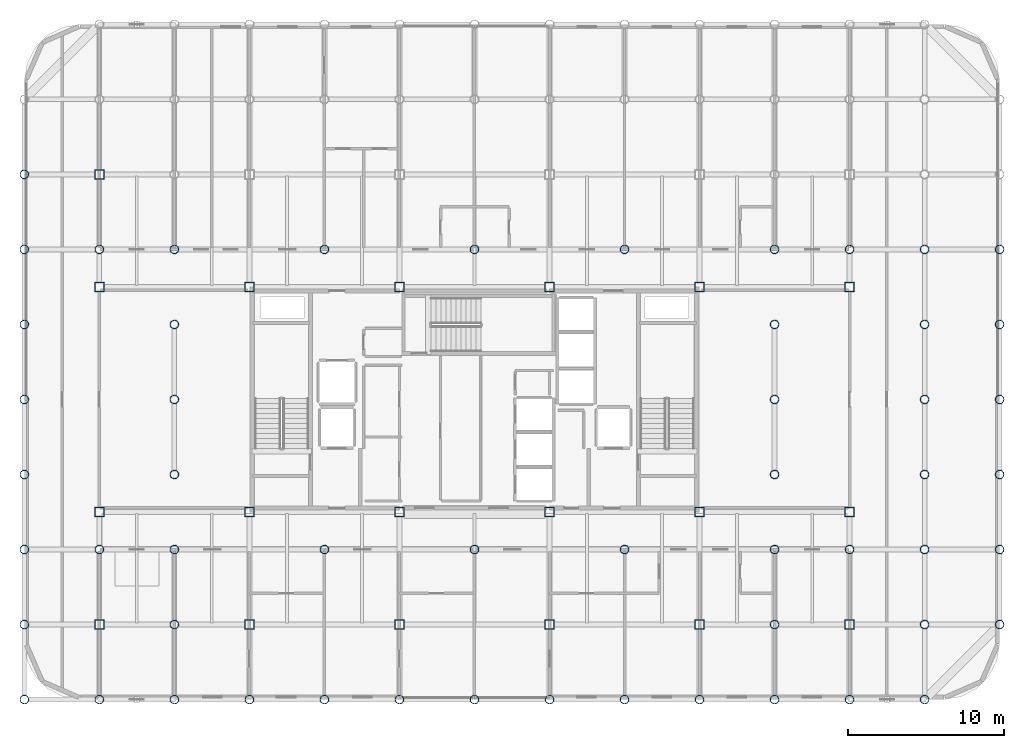
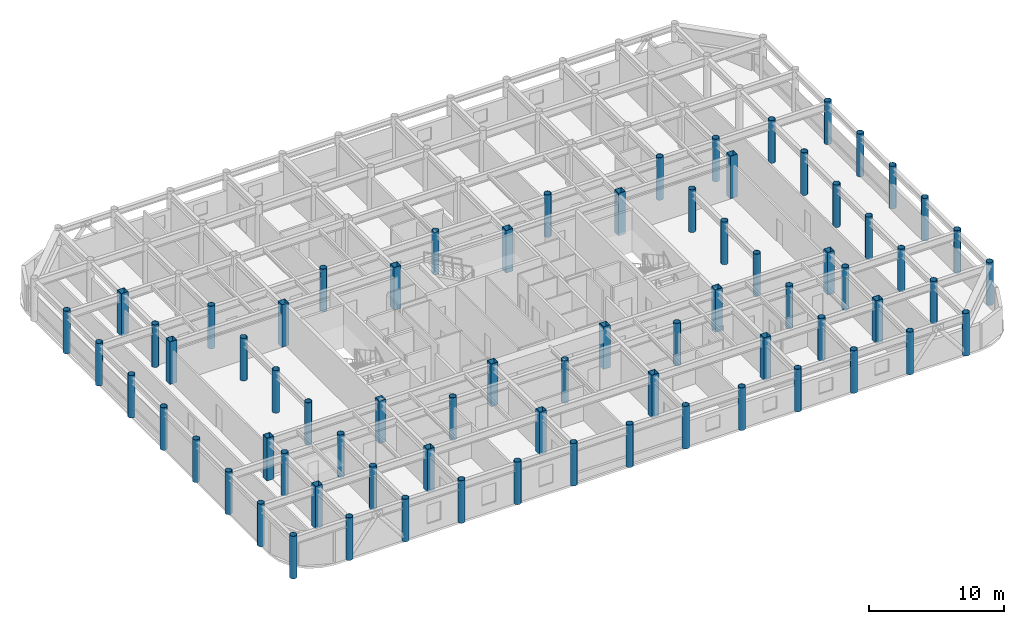
# One storey, part 1 of 24: 73 columns.
"""IFC4 building model written with IfcOpenShell, lengths in metres."""

from ifc_helpers import new_model, si_unit, direction, frame, origin, origin_2d, place, context, subcontext, project, spatial, hollow_rectangle, hollow_circle, extrude, material, material_profile, profile_set, type_object, element, save


model = new_model("IFC4")

# Units and contexts
model_context = context("Model", 3, precision=1e-05, world=origin(), true_north=direction((0.0, 1.0)))
body_context = subcontext(model_context, "Body", "Model", "MODEL_VIEW")
ifc_project = project(units=[si_unit("LENGTHUNIT", "METRE"), si_unit("AREAUNIT", "SQUARE_METRE"), si_unit("VOLUMEUNIT", "CUBIC_METRE"), si_unit("PLANEANGLEUNIT", "RADIAN"), si_unit("MASSUNIT", "GRAM", prefix="KILO")], contexts=[model_context])

# Site, building, storey
site_placement = place(None, origin())
site = spatial("IfcSite", under=ifc_project, at=site_placement, CompositionType="ELEMENT")
building_placement = place(site_placement, origin())
building = spatial("IfcBuilding", under=site, at=building_placement, Name="Kallvorn Hotel Tower", CompositionType="ELEMENT")
storey_placement = place(building_placement, frame((0.0, 0.0, 233.85009765625)))
storey = spatial("IfcBuildingStorey", under=building, at=storey_placement, Name="L58", CompositionType="ELEMENT", Elevation=233.85009765625)

# Columns
ifc_material_1 = material(Name="Structural steel S355J2H", Category="steel")
ifc_material_profile_1 = material_profile(ifc_material_1, hollow_circle(Radius=0.279541015625, WallThickness=0.02490234375, at=origin_2d()), Name="CHS 559x25")
ifc_profile_set_1 = profile_set([ifc_material_profile_1], Name="Structural steel S355J2H")
column_type_1 = type_object("IfcColumnType", Name="COL_CHS_559", PredefinedType="COLUMN", material=ifc_profile_set_1)
for number, where, z_axis, x_axis, name in (
    (1, (-28.800048828125, -19.199951171875, 0.0), (0.0, 0.0, 1.0), (1.0, 0.0, 0.0), "L58 Exoskeleton Column EC01"),
    (2, (-28.800048828125, -14.39990234375, 0.0), (0.0, 0.0, 1.0), (1.0, 0.0, 0.0), "L58 Exoskeleton Column EC02"),
    (3, (-28.800048828125, -9.60009765625, 0.0), (0.0, 0.0, 1.0), (1.0, 0.0, 0.0), "L58 Exoskeleton Column EC03"),
    (4, (-28.800048828125, -4.800048828125, 0.0), (0.0, 0.0, 1.0), (1.0, 0.0, 0.0), "L58 Exoskeleton Column EC04"),
    (5, (-28.800048828125, 0.0, 0.0), (0.0, 0.0, 1.0), (1.0, 0.0, 0.0), "L58 Exoskeleton Column EC05"),
    (6, (-28.800048828125, 4.800048828125, 0.0), (0.0, 0.0, 1.0), (1.0, 0.0, 0.0), "L58 Exoskeleton Column EC06"),
    (7, (-28.800048828125, 9.60009765625, 0.0), (0.0, 0.0, 1.0), (1.0, 0.0, 0.0), "L58 Exoskeleton Column EC07"),
    (8, (-28.800048828125, 14.39990234375, 0.0), (0.0, 0.0, 1.0), (1.0, 0.0, 0.0), "L58 Exoskeleton Column EC08"),
    (9, (-24.0, -19.199951171875, 0.0), (0.0, 0.0, 1.0), (1.0, 0.0, 0.0), "L58 Exoskeleton Column EC10"),
    (10, (-24.0, -9.60009765625, 0.0), (0.0, 0.0, 1.0), (1.0, 0.0, 0.0), "L58 Exoskeleton Column EC11"),
    (11, (-24.0, 9.60009765625, 0.0), (0.0, 0.0, 1.0), (1.0, 0.0, 0.0), "L58 Exoskeleton Column EC12"),
    (12, (-19.199951171875, -19.199951171875, 0.0), (0.0, 0.0, 1.0), (1.0, 0.0, 0.0), "L58 Exoskeleton Column EC15"),
    (13, (-19.199951171875, -14.39990234375, 0.0), (0.0, 0.0, 1.0), (1.0, 0.0, 0.0), "L58 Exoskeleton Column EC16"),
    (14, (-19.199951171875, -9.60009765625, 0.0), (0.0, 0.0, 1.0), (1.0, 0.0, 0.0), "L58 Exoskeleton Column EC17"),
    (15, (-19.199951171875, -4.800048828125, 0.0), (0.0, 0.0, 1.0), (1.0, 0.0, 0.0), "L58 Exoskeleton Column EC18"),
    (16, (-19.199951171875, 0.0, 0.0), (0.0, 0.0, 1.0), (1.0, 0.0, 0.0), "L58 Exoskeleton Column EC19"),
    (17, (-19.199951171875, 4.800048828125, 0.0), (0.0, 0.0, 1.0), (1.0, 0.0, 0.0), "L58 Exoskeleton Column EC20"),
    (18, (-19.199951171875, 9.60009765625, 0.0), (0.0, 0.0, 1.0), (1.0, 0.0, 0.0), "L58 Exoskeleton Column EC21"),
    (19, (-14.39990234375, -19.199951171875, 0.0), (0.0, 0.0, 1.0), (1.0, 0.0, 0.0), "L58 Exoskeleton Column EC25"),
    (20, (-9.60009765625, -19.199951171875, 0.0), (0.0, 0.0, 1.0), (1.0, 0.0, 0.0), "L58 Exoskeleton Column EC28"),
    (21, (-9.60009765625, -9.60009765625, 0.0), (0.0, 0.0, 1.0), (1.0, 0.0, 0.0), "L58 Exoskeleton Column EC29"),
    (22, (-9.60009765625, 9.60009765625, 0.0), (0.0, 0.0, 1.0), (1.0, 0.0, 0.0), "L58 Exoskeleton Column EC30"),
    (23, (-4.800048828125, -19.199951171875, 0.0), (0.0, 0.0, 1.0), (1.0, 0.0, 0.0), "L58 Exoskeleton Column EC33"),
    (24, (0.0, -19.199951171875, 0.0), (0.0, 0.0, 1.0), (1.0, 0.0, 0.0), "L58 Exoskeleton Column EC36"),
    (25, (0.0, -9.60009765625, 0.0), (0.0, 0.0, 1.0), (1.0, 0.0, 0.0), "L58 Exoskeleton Column EC37"),
    (26, (0.0, 9.60009765625, 0.0), (0.0, 0.0, 1.0), (1.0, 0.0, 0.0), "L58 Exoskeleton Column EC38"),
    (27, (4.800048828125, -19.199951171875, 0.0), (0.0, 0.0, 1.0), (1.0, 0.0, 0.0), "L58 Exoskeleton Column EC41"),
    (28, (9.60009765625, -19.199951171875, 0.0), (0.0, 0.0, 1.0), (1.0, 0.0, 0.0), "L58 Exoskeleton Column EC44"),
    (29, (9.60009765625, -9.60009765625, 0.0), (0.0, 0.0, 1.0), (1.0, 0.0, 0.0), "L58 Exoskeleton Column EC45"),
    (30, (9.60009765625, 9.60009765625, 0.0), (0.0, 0.0, 1.0), (1.0, 0.0, 0.0), "L58 Exoskeleton Column EC46"),
    (31, (14.39990234375, -19.199951171875, 0.0), (0.0, 0.0, 1.0), (1.0, 0.0, 0.0), "L58 Exoskeleton Column EC49"),
    (32, (19.199951171875, -19.199951171875, 0.0), (0.0, 0.0, 1.0), (1.0, 0.0, 0.0), "L58 Exoskeleton Column EC52"),
    (33, (19.199951171875, -14.39990234375, 0.0), (0.0, 0.0, 1.0), (1.0, 0.0, 0.0), "L58 Exoskeleton Column EC53"),
    (34, (19.199951171875, -9.60009765625, 0.0), (0.0, 0.0, 1.0), (1.0, 0.0, 0.0), "L58 Exoskeleton Column EC54"),
    (35, (19.199951171875, -4.800048828125, 0.0), (0.0, 0.0, 1.0), (1.0, 0.0, 0.0), "L58 Exoskeleton Column EC55"),
    (36, (19.199951171875, 0.0, 0.0), (0.0, 0.0, 1.0), (1.0, 0.0, 0.0), "L58 Exoskeleton Column EC56"),
    (37, (19.199951171875, 4.800048828125, 0.0), (0.0, 0.0, 1.0), (1.0, 0.0, 0.0), "L58 Exoskeleton Column EC57"),
    (38, (19.199951171875, 9.60009765625, 0.0), (0.0, 0.0, 1.0), (1.0, 0.0, 0.0), "L58 Exoskeleton Column EC58"),
    (39, (24.0, -19.199951171875, 0.0), (0.0, 0.0, 1.0), (1.0, 0.0, 0.0), "L58 Exoskeleton Column EC62"),
    (40, (24.0, -9.60009765625, 0.0), (0.0, 0.0, 1.0), (1.0, 0.0, 0.0), "L58 Exoskeleton Column EC63"),
    (41, (24.0, 9.60009765625, 0.0), (0.0, 0.0, 1.0), (1.0, 0.0, 0.0), "L58 Exoskeleton Column EC64"),
    (42, (28.800048828125, -19.199951171875, 0.0), (0.0, 0.0, 1.0), (1.0, 0.0, 0.0), "L58 Exoskeleton Column EC67"),
    (43, (28.800048828125, -14.39990234375, 0.0), (0.0, 0.0, 1.0), (1.0, 0.0, 0.0), "L58 Exoskeleton Column EC68"),
    (44, (28.800048828125, -9.60009765625, 0.0), (0.0, 0.0, 1.0), (1.0, 0.0, 0.0), "L58 Exoskeleton Column EC69"),
    (45, (28.800048828125, -4.800048828125, 0.0), (0.0, 0.0, 1.0), (1.0, 0.0, 0.0), "L58 Exoskeleton Column EC70"),
    (46, (28.800048828125, 0.0, 0.0), (0.0, 0.0, 1.0), (1.0, 0.0, 0.0), "L58 Exoskeleton Column EC71"),
    (47, (28.800048828125, 4.800048828125, 0.0), (0.0, 0.0, 1.0), (1.0, 0.0, 0.0), "L58 Exoskeleton Column EC72"),
    (48, (28.800048828125, 9.60009765625, 0.0), (0.0, 0.0, 1.0), (1.0, 0.0, 0.0), "L58 Exoskeleton Column EC73"),
    (49, (33.60009765625, -14.39990234375, 0.0), (0.0, 0.0, 1.0), (1.0, 0.0, 0.0), "L58 Exoskeleton Column EC77"),
    (50, (33.60009765625, -9.60009765625, 0.0), (0.0, 0.0, 1.0), (1.0, 0.0, 0.0), "L58 Exoskeleton Column EC78"),
    (51, (33.60009765625, -4.800048828125, 0.0), (0.0, 0.0, 1.0), (1.0, 0.0, 0.0), "L58 Exoskeleton Column EC79"),
    (52, (33.60009765625, 0.0, 0.0), (0.0, 0.0, 1.0), (1.0, 0.0, 0.0), "L58 Exoskeleton Column EC80"),
    (53, (33.60009765625, 4.800048828125, 0.0), (0.0, 0.0, 1.0), (1.0, 0.0, 0.0), "L58 Exoskeleton Column EC81"),
    (54, (33.60009765625, 9.60009765625, 0.0), (0.0, 0.0, 1.0), (1.0, 0.0, 0.0), "L58 Exoskeleton Column EC82"),
):
    element("IfcColumn", number, at=place(storey_placement, frame(where, z_axis=z_axis, x_axis=x_axis)), inside=storey, type_object=column_type_1, Name=name, PredefinedType="COLUMN", context=body_context, shape_type="SweptSolid", body=[
        extrude(hollow_circle(Radius=0.279541015625, WallThickness=0.02490234375, at=origin_2d()), origin(), (0.0, 0.0, 1.0), 3.849853515625),
    ])
ifc_material_2 = material(Name="Structural steel S355J2H", Category="steel")
ifc_material_profile_2 = material_profile(ifc_material_2, hollow_rectangle(XDim=0.60009765625, YDim=0.60009765625, WallThickness=0.028076171875, at=origin_2d()), Name="RHS 600x600x28")
ifc_profile_set_2 = profile_set([ifc_material_profile_2], Name="Structural steel S355J2H")
column_type_2 = type_object("IfcColumnType", Name="COL_RHS_600", PredefinedType="COLUMN", material=ifc_profile_set_2)
for number, where, z_axis, x_axis, name in (
    (55, (-24.0, -14.39990234375, 0.0), (0.0, 0.0, 1.0), (1.0, 0.0, 0.0), "L58 Inner Column IC01"),
    (56, (-24.0, -7.199951171875, 0.0), (0.0, 0.0, 1.0), (1.0, 0.0, 0.0), "L58 Inner Column IC02"),
    (57, (-24.0, 7.199951171875, 0.0), (0.0, 0.0, 1.0), (1.0, 0.0, 0.0), "L58 Inner Column IC03"),
    (58, (-24.0, 14.39990234375, 0.0), (0.0, 0.0, 1.0), (1.0, 0.0, 0.0), "L58 Inner Column IC04"),
    (59, (-14.39990234375, -14.39990234375, 0.0), (0.0, 0.0, 1.0), (1.0, 0.0, 0.0), "L58 Inner Column IC05"),
    (60, (-14.39990234375, -7.199951171875, 0.0), (0.0, 0.0, 1.0), (1.0, 0.0, 0.0), "L58 Inner Column IC06"),
    (61, (-14.39990234375, 7.199951171875, 0.0), (0.0, 0.0, 1.0), (1.0, 0.0, 0.0), "L58 Inner Column IC07"),
    (62, (-4.800048828125, -14.39990234375, 0.0), (0.0, 0.0, 1.0), (1.0, 0.0, 0.0), "L58 Inner Column IC09"),
    (63, (-4.800048828125, -7.199951171875, 0.0), (0.0, 0.0, 1.0), (1.0, 0.0, 0.0), "L58 Inner Column IC10"),
    (64, (-4.800048828125, 7.199951171875, 0.0), (0.0, 0.0, 1.0), (1.0, 0.0, 0.0), "L58 Inner Column IC11"),
    (65, (4.800048828125, -14.39990234375, 0.0), (0.0, 0.0, 1.0), (1.0, 0.0, 0.0), "L58 Inner Column IC13"),
    (66, (4.800048828125, -7.199951171875, 0.0), (0.0, 0.0, 1.0), (1.0, 0.0, 0.0), "L58 Inner Column IC14"),
    (67, (4.800048828125, 7.199951171875, 0.0), (0.0, 0.0, 1.0), (1.0, 0.0, 0.0), "L58 Inner Column IC15"),
    (68, (14.39990234375, -14.39990234375, 0.0), (0.0, 0.0, 1.0), (1.0, 0.0, 0.0), "L58 Inner Column IC17"),
    (69, (14.39990234375, -7.199951171875, 0.0), (0.0, 0.0, 1.0), (1.0, 0.0, 0.0), "L58 Inner Column IC18"),
    (70, (14.39990234375, 7.199951171875, 0.0), (0.0, 0.0, 1.0), (1.0, 0.0, 0.0), "L58 Inner Column IC19"),
    (71, (24.0, -14.39990234375, 0.0), (0.0, 0.0, 1.0), (1.0, 0.0, 0.0), "L58 Inner Column IC21"),
    (72, (24.0, -7.199951171875, 0.0), (0.0, 0.0, 1.0), (1.0, 0.0, 0.0), "L58 Inner Column IC22"),
    (73, (24.0, 7.199951171875, 0.0), (0.0, 0.0, 1.0), (1.0, 0.0, 0.0), "L58 Inner Column IC23"),
):
    element("IfcColumn", number, at=place(storey_placement, frame(where, z_axis=z_axis, x_axis=x_axis)), inside=storey, type_object=column_type_2, Name=name, PredefinedType="COLUMN", context=body_context, shape_type="SweptSolid", body=[
        extrude(hollow_rectangle(XDim=0.60009765625, YDim=0.60009765625, WallThickness=0.028076171875, at=origin_2d()), origin(), (0.0, 0.0, 1.0), 3.849853515625),
    ])

save(model, "model.ifc")
